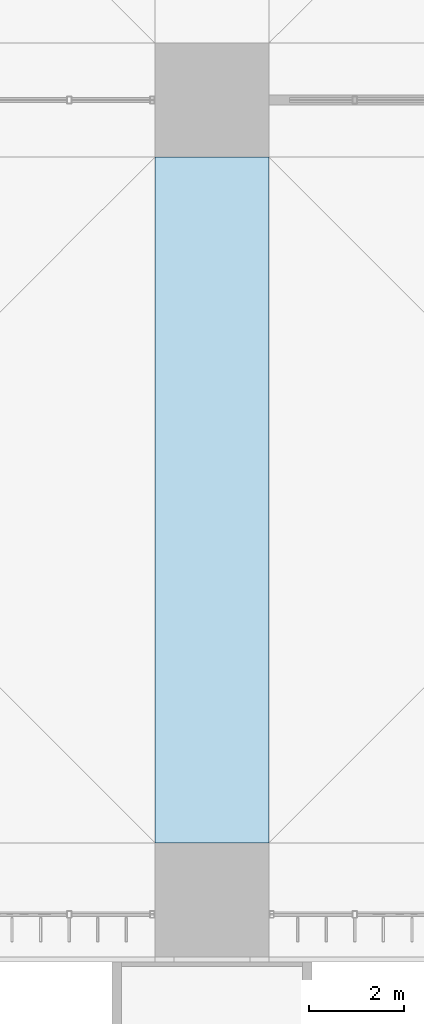
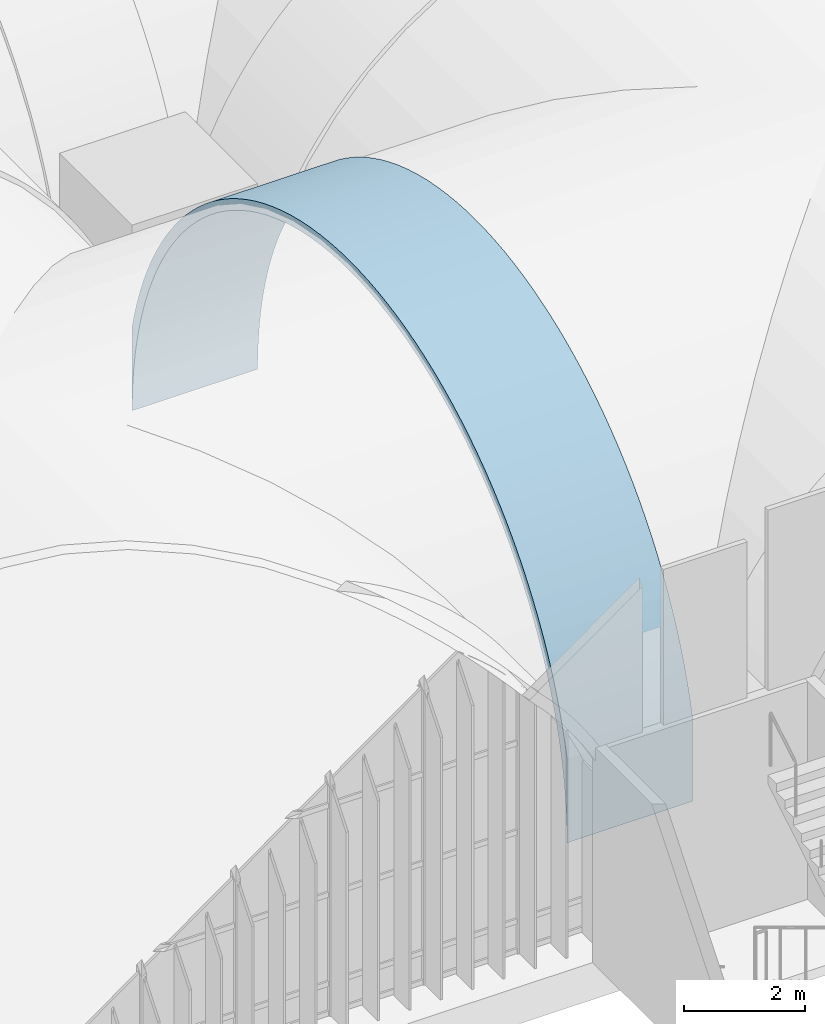
# One storey, part 141 of 169: 1 roof.
"""IFC4 building model written with IfcOpenShell, lengths in metres."""

from ifc_helpers import new_model, si_unit, direction, frame, origin, place, context, subcontext, project, spatial, polygons, material, layer, layer_set, type_object, element, save


model = new_model("IFC4")

# Units and contexts
model_context = context("Model", 3, precision=1e-05, world=origin(), true_north=direction((0.0, 1.0)))
body_context = subcontext(model_context, "Body", "Model", "MODEL_VIEW")
ifc_project = project(units=[si_unit("LENGTHUNIT", "METRE"), si_unit("AREAUNIT", "SQUARE_METRE"), si_unit("VOLUMEUNIT", "CUBIC_METRE"), si_unit("PLANEANGLEUNIT", "RADIAN"), si_unit("MASSUNIT", "GRAM", prefix="KILO")], contexts=[model_context])

# Site, building, storey
site_placement = place(None, origin())
site = spatial("IfcSite", under=ifc_project, at=site_placement, CompositionType="ELEMENT")
building_placement = place(site_placement, origin())
building = spatial("IfcBuilding", under=site, at=building_placement, Name="Verrick Yard Athletic Hall", CompositionType="ELEMENT")
storey_placement = place(building_placement, frame((0.0, 0.0, 4.39990234375)))
storey = spatial("IfcBuildingStorey", under=building, at=storey_placement, Name="L01", CompositionType="ELEMENT", Elevation=4.39990234375)

# Roof
ifc_material = material(Name="Concrete 35 MPa", Category="concrete")
ifc_layer = layer(ifc_material, 0.199951171875)
ifc_layer_set = layer_set([ifc_layer], Name="Arch rib 200")
roof_type = type_object("IfcRoofType", Name="Arch rib 200", PredefinedType="BARREL_ROOF", material=ifc_layer_set)
roof_placement = place(storey_placement, origin())
element("IfcRoof", 1, at=roof_placement, inside=storey, type_object=roof_type, Name="Vault rib X7-1", PredefinedType="BARREL_ROOF", context=body_context, shape_type="Tessellation", body=[
    polygons([(142.0, 20.39990234375, 2.352294921875), (142.0, 20.39990234375, 0.650146484375), (142.0, 20.406982421875, 0.964111328125), (142.0, 20.427490234375, 1.277587890625), (142.0, 20.461669921875, 1.58984375), (142.0, 20.509521484375, 1.900390625), (142.0, 20.57080078125, 2.20849609375), (142.0, 20.645263671875, 2.513671875), (142.0, 20.733154296875, 2.815185546875), (142.0, 20.834228515625, 3.112548828125), (142.0, 20.947998046875, 3.405517578125), (142.0, 21.07470703125, 3.693115234375), (142.0, 21.21337890625, 3.974609375), (142.0, 21.364501953125, 4.25), (142.0, 21.527587890625, 4.518798828125), (142.0, 21.7021484375, 4.77978515625), (142.0, 21.887939453125, 5.033203125), (142.0, 22.08447265625, 5.278076171875), (142.0, 22.29150390625, 5.514404296875), (142.0, 22.5087890625, 5.7412109375), (142.0, 22.73583984375, 5.95849609375), (142.0, 22.971923828125, 6.16552734375), (142.0, 23.216796875, 6.3623046875), (142.0, 23.47021484375, 6.548095703125), (142.0, 23.7314453125, 6.722412109375), (142.0, 24.0, 6.885498046875), (142.0, 24.275390625, 7.03662109375), (142.0, 24.55712890625, 7.175537109375), (142.0, 24.8447265625, 7.302001953125), (142.0, 25.137451171875, 7.416015625), (142.0, 25.434814453125, 7.516845703125), (142.0, 25.736572265625, 7.604736328125), (142.0, 26.04150390625, 7.679443359375), (142.0, 26.349609375, 7.74072265625), (142.0, 26.66015625, 7.78857421875), (142.0, 26.972412109375, 7.82275390625), (142.0, 27.285888671875, 7.84326171875), (142.0, 27.60009765625, 7.85009765625), (142.0, 27.9140625, 7.84326171875), (142.0, 28.2275390625, 7.82275390625), (142.0, 28.539794921875, 7.78857421875), (142.0, 28.850341796875, 7.74072265625), (142.0, 29.158447265625, 7.679443359375), (142.0, 29.46337890625, 7.604736328125), (142.0, 29.76513671875, 7.516845703125), (142.0, 30.0625, 7.416015625), (142.0, 30.355224609375, 7.302001953125), (142.0, 30.642822265625, 7.175537109375), (142.0, 30.924560546875, 7.03662109375), (142.0, 31.199951171875, 6.885498046875), (142.0, 31.468505859375, 6.722412109375), (142.0, 31.729736328125, 6.548095703125), (142.0, 31.983154296875, 6.3623046875), (142.0, 32.22802734375, 6.16552734375), (142.0, 32.464111328125, 5.95849609375), (142.0, 32.691162109375, 5.7412109375), (142.0, 32.908447265625, 5.514404296875), (142.0, 33.115478515625, 5.278076171875), (142.0, 33.31201171875, 5.033203125), (142.0, 33.497802734375, 4.77978515625), (142.0, 33.67236328125, 4.518798828125), (142.0, 33.83544921875, 4.25), (142.0, 33.986572265625, 3.974609375), (142.0, 34.12548828125, 3.693115234375), (142.0, 34.251953125, 3.405517578125), (142.0, 34.36572265625, 3.112548828125), (142.0, 34.466796875, 2.815185546875), (142.0, 34.5546875, 2.513671875), (142.0, 34.62939453125, 2.20849609375), (142.0, 34.690673828125, 1.900390625), (142.0, 34.73828125, 1.58984375), (142.0, 34.772705078125, 1.277587890625), (142.0, 34.793212890625, 0.964111328125), (142.0, 34.800048828125, 0.650146484375), (142.0, 34.800048828125, 2.352294921875), (142.0, 34.747802734375, 2.5654296875), (142.0, 34.657470703125, 2.875244140625), (142.0, 34.5537109375, 3.180908203125), (142.0, 34.436767578125, 3.48193359375), (142.0, 34.306640625, 3.777587890625), (142.0, 34.163818359375, 4.06689453125), (142.0, 34.008544921875, 4.35009765625), (142.0, 33.841064453125, 4.6259765625), (142.0, 33.66162109375, 4.89453125), (142.0, 33.470703125, 5.15478515625), (142.0, 33.268798828125, 5.40673828125), (142.0, 33.055908203125, 5.6494140625), (142.0, 32.83251953125, 5.8828125), (142.0, 32.599365234375, 6.10595703125), (142.0, 32.356689453125, 6.31884765625), (142.0, 32.104736328125, 6.52099609375), (142.0, 31.844482421875, 6.7119140625), (142.0, 31.575927734375, 6.89111328125), (142.0, 31.300048828125, 7.05859375), (142.0, 31.016845703125, 7.214111328125), (142.0, 30.727294921875, 7.356689453125), (142.0, 30.431884765625, 7.48681640625), (142.0, 30.130859375, 7.603759765625), (142.0, 29.8251953125, 7.70751953125), (142.0, 29.515380859375, 7.798095703125), (142.0, 29.20166015625, 7.874755859375), (142.0, 28.885009765625, 7.937744140625), (142.0, 28.56591796875, 7.98681640625), (142.0, 28.2451171875, 8.02197265625), (142.0, 27.9228515625, 8.043212890625), (142.0, 27.60009765625, 8.050048828125), (142.0, 27.277099609375, 8.043212890625), (142.0, 26.955078125, 8.02197265625), (142.0, 26.634033203125, 7.98681640625), (142.0, 26.31494140625, 7.937744140625), (142.0, 25.998291015625, 7.874755859375), (142.0, 25.684814453125, 7.798095703125), (142.0, 25.374755859375, 7.70751953125), (142.0, 25.069091796875, 7.603759765625), (142.0, 24.76806640625, 7.48681640625), (142.0, 24.47265625, 7.356689453125), (142.0, 24.18310546875, 7.214111328125), (142.0, 23.89990234375, 7.05859375), (142.0, 23.6240234375, 6.89111328125), (142.0, 23.35546875, 6.7119140625), (142.0, 23.09521484375, 6.52099609375), (142.0, 22.843505859375, 6.31884765625), (142.0, 22.6005859375, 6.10595703125), (142.0, 22.367431640625, 5.8828125), (142.0, 22.14404296875, 5.6494140625), (142.0, 21.931396484375, 5.40673828125), (142.0, 21.729248046875, 5.15478515625), (142.0, 21.538330078125, 4.89453125), (142.0, 21.35888671875, 4.6259765625), (142.0, 21.19140625, 4.35009765625), (142.0, 21.0361328125, 4.06689453125), (142.0, 20.893310546875, 3.777587890625), (142.0, 20.76318359375, 3.48193359375), (142.0, 20.646240234375, 3.180908203125), (142.0, 20.54248046875, 2.875244140625), (142.0, 20.4521484375, 2.5654296875), (139.60009765625, 20.39990234375, 2.352294921875), (139.60009765625, 20.39990234375, 0.650146484375), (139.60009765625, 20.406982421875, 0.964111328125), (139.60009765625, 20.427490234375, 1.277587890625), (139.60009765625, 20.461669921875, 1.58984375), (139.60009765625, 20.509521484375, 1.900390625), (139.60009765625, 20.57080078125, 2.20849609375), (139.60009765625, 20.645263671875, 2.513671875), (139.60009765625, 20.733154296875, 2.815185546875), (139.60009765625, 20.834228515625, 3.112548828125), (139.60009765625, 20.947998046875, 3.405517578125), (139.60009765625, 21.07470703125, 3.693115234375), (139.60009765625, 21.21337890625, 3.974609375), (139.60009765625, 21.364501953125, 4.25), (139.60009765625, 21.527587890625, 4.518798828125), (139.60009765625, 21.7021484375, 4.77978515625), (139.60009765625, 21.887939453125, 5.033203125), (139.60009765625, 22.08447265625, 5.278076171875), (139.60009765625, 22.29150390625, 5.514404296875), (139.60009765625, 22.5087890625, 5.7412109375), (139.60009765625, 22.73583984375, 5.95849609375), (139.60009765625, 22.971923828125, 6.16552734375), (139.60009765625, 23.216796875, 6.3623046875), (139.60009765625, 23.47021484375, 6.548095703125), (139.60009765625, 23.7314453125, 6.722412109375), (139.60009765625, 24.0, 6.885498046875), (139.60009765625, 24.275390625, 7.03662109375), (139.60009765625, 24.55712890625, 7.175537109375), (139.60009765625, 24.8447265625, 7.302001953125), (139.60009765625, 25.137451171875, 7.416015625), (139.60009765625, 25.434814453125, 7.516845703125), (139.60009765625, 25.736572265625, 7.604736328125), (139.60009765625, 26.04150390625, 7.679443359375), (139.60009765625, 26.349609375, 7.74072265625), (139.60009765625, 26.66015625, 7.78857421875), (139.60009765625, 26.972412109375, 7.82275390625), (139.60009765625, 27.285888671875, 7.84326171875), (139.60009765625, 27.60009765625, 7.85009765625), (139.60009765625, 27.9140625, 7.84326171875), (139.60009765625, 28.2275390625, 7.82275390625), (139.60009765625, 28.539794921875, 7.78857421875), (139.60009765625, 28.850341796875, 7.74072265625), (139.60009765625, 29.158447265625, 7.679443359375), (139.60009765625, 29.46337890625, 7.604736328125), (139.60009765625, 29.76513671875, 7.516845703125), (139.60009765625, 30.0625, 7.416015625), (139.60009765625, 30.355224609375, 7.302001953125), (139.60009765625, 30.642822265625, 7.175537109375), (139.60009765625, 30.924560546875, 7.03662109375), (139.60009765625, 31.199951171875, 6.885498046875), (139.60009765625, 31.468505859375, 6.722412109375), (139.60009765625, 31.729736328125, 6.548095703125), (139.60009765625, 31.983154296875, 6.3623046875), (139.60009765625, 32.22802734375, 6.16552734375), (139.60009765625, 32.464111328125, 5.95849609375), (139.60009765625, 32.691162109375, 5.7412109375), (139.60009765625, 32.908447265625, 5.514404296875), (139.60009765625, 33.115478515625, 5.278076171875), (139.60009765625, 33.31201171875, 5.033203125), (139.60009765625, 33.497802734375, 4.77978515625), (139.60009765625, 33.67236328125, 4.518798828125), (139.60009765625, 33.83544921875, 4.25), (139.60009765625, 33.986572265625, 3.974609375), (139.60009765625, 34.12548828125, 3.693115234375), (139.60009765625, 34.251953125, 3.405517578125), (139.60009765625, 34.36572265625, 3.112548828125), (139.60009765625, 34.466796875, 2.815185546875), (139.60009765625, 34.5546875, 2.513671875), (139.60009765625, 34.62939453125, 2.20849609375), (139.60009765625, 34.690673828125, 1.900390625), (139.60009765625, 34.73828125, 1.58984375), (139.60009765625, 34.772705078125, 1.277587890625), (139.60009765625, 34.793212890625, 0.964111328125), (139.60009765625, 34.800048828125, 0.650146484375), (139.60009765625, 34.800048828125, 2.352294921875), (139.60009765625, 34.747802734375, 2.5654296875), (139.60009765625, 34.657470703125, 2.875244140625), (139.60009765625, 34.5537109375, 3.180908203125), (139.60009765625, 34.436767578125, 3.48193359375), (139.60009765625, 34.306640625, 3.777587890625), (139.60009765625, 34.163818359375, 4.06689453125), (139.60009765625, 34.008544921875, 4.35009765625), (139.60009765625, 33.841064453125, 4.6259765625), (139.60009765625, 33.66162109375, 4.89453125), (139.60009765625, 33.470703125, 5.15478515625), (139.60009765625, 33.268798828125, 5.40673828125), (139.60009765625, 33.055908203125, 5.6494140625), (139.60009765625, 32.83251953125, 5.8828125), (139.60009765625, 32.599365234375, 6.10595703125), (139.60009765625, 32.356689453125, 6.31884765625), (139.60009765625, 32.104736328125, 6.52099609375), (139.60009765625, 31.844482421875, 6.7119140625), (139.60009765625, 31.575927734375, 6.89111328125), (139.60009765625, 31.300048828125, 7.05859375), (139.60009765625, 31.016845703125, 7.214111328125), (139.60009765625, 30.727294921875, 7.356689453125), (139.60009765625, 30.431884765625, 7.48681640625), (139.60009765625, 30.130859375, 7.603759765625), (139.60009765625, 29.8251953125, 7.70751953125), (139.60009765625, 29.515380859375, 7.798095703125), (139.60009765625, 29.20166015625, 7.874755859375), (139.60009765625, 28.885009765625, 7.937744140625), (139.60009765625, 28.56591796875, 7.98681640625), (139.60009765625, 28.2451171875, 8.02197265625), (139.60009765625, 27.9228515625, 8.043212890625), (139.60009765625, 27.60009765625, 8.050048828125), (139.60009765625, 27.277099609375, 8.043212890625), (139.60009765625, 26.955078125, 8.02197265625), (139.60009765625, 26.634033203125, 7.98681640625), (139.60009765625, 26.31494140625, 7.937744140625), (139.60009765625, 25.998291015625, 7.874755859375), (139.60009765625, 25.684814453125, 7.798095703125), (139.60009765625, 25.374755859375, 7.70751953125), (139.60009765625, 25.069091796875, 7.603759765625), (139.60009765625, 24.76806640625, 7.48681640625), (139.60009765625, 24.47265625, 7.356689453125), (139.60009765625, 24.18310546875, 7.214111328125), (139.60009765625, 23.89990234375, 7.05859375), (139.60009765625, 23.6240234375, 6.89111328125), (139.60009765625, 23.35546875, 6.7119140625), (139.60009765625, 23.09521484375, 6.52099609375), (139.60009765625, 22.843505859375, 6.31884765625), (139.60009765625, 22.6005859375, 6.10595703125), (139.60009765625, 22.367431640625, 5.8828125), (139.60009765625, 22.14404296875, 5.6494140625), (139.60009765625, 21.931396484375, 5.40673828125), (139.60009765625, 21.729248046875, 5.15478515625), (139.60009765625, 21.538330078125, 4.89453125), (139.60009765625, 21.35888671875, 4.6259765625), (139.60009765625, 21.19140625, 4.35009765625), (139.60009765625, 21.0361328125, 4.06689453125), (139.60009765625, 20.893310546875, 3.777587890625), (139.60009765625, 20.76318359375, 3.48193359375), (139.60009765625, 20.646240234375, 3.180908203125), (139.60009765625, 20.54248046875, 2.875244140625), (139.60009765625, 20.4521484375, 2.5654296875)], [[[1, 2, 3]], [[137, 139, 138]], [[136, 1, 3]], [[272, 139, 137]], [[136, 3, 4]], [[272, 140, 139]], [[136, 4, 5]], [[272, 141, 140]], [[136, 5, 6]], [[272, 142, 141]], [[136, 6, 7]], [[272, 143, 142]], [[136, 7, 8]], [[272, 144, 143]], [[136, 8, 9]], [[272, 145, 144]], [[136, 9, 10]], [[272, 146, 145]], [[136, 10, 11]], [[272, 147, 146]], [[136, 11, 12]], [[272, 148, 147]], [[136, 12, 13]], [[272, 149, 148]], [[73, 74, 75]], [[209, 211, 210]], [[72, 73, 75]], [[208, 211, 209]], [[71, 72, 75]], [[207, 211, 208]], [[70, 71, 75]], [[206, 211, 207]], [[69, 70, 75]], [[205, 211, 206]], [[68, 69, 75]], [[204, 211, 205]], [[67, 68, 75]], [[203, 211, 204]], [[66, 67, 75]], [[202, 211, 203]], [[65, 66, 75]], [[201, 211, 202]], [[64, 65, 75]], [[200, 211, 201]], [[63, 64, 75]], [[199, 211, 200]], [[63, 75, 76]], [[199, 212, 211]], [[63, 76, 77]], [[199, 213, 212]], [[62, 63, 77]], [[198, 213, 199]], [[62, 77, 78]], [[198, 214, 213]], [[61, 62, 78]], [[197, 214, 198]], [[61, 78, 79]], [[197, 215, 214]], [[60, 61, 79]], [[196, 215, 197]], [[60, 79, 80]], [[196, 216, 215]], [[59, 60, 80]], [[195, 216, 196]], [[59, 80, 81]], [[195, 217, 216]], [[58, 59, 81]], [[194, 217, 195]], [[58, 81, 82]], [[194, 218, 217]], [[57, 58, 82]], [[193, 218, 194]], [[57, 82, 83]], [[193, 219, 218]], [[56, 57, 83]], [[192, 219, 193]], [[56, 83, 84]], [[192, 220, 219]], [[55, 56, 84]], [[191, 220, 192]], [[55, 84, 85]], [[191, 221, 220]], [[54, 55, 85]], [[190, 221, 191]], [[54, 85, 86]], [[190, 222, 221]], [[53, 54, 86]], [[189, 222, 190]], [[53, 86, 87]], [[189, 223, 222]], [[52, 53, 87]], [[188, 223, 189]], [[52, 87, 88]], [[188, 224, 223]], [[51, 52, 88]], [[187, 224, 188]], [[51, 88, 89]], [[187, 225, 224]], [[50, 51, 89]], [[186, 225, 187]], [[50, 89, 90]], [[186, 226, 225]], [[49, 50, 90]], [[185, 226, 186]], [[49, 90, 91]], [[185, 227, 226]], [[48, 49, 91]], [[184, 227, 185]], [[48, 91, 92]], [[184, 228, 227]], [[47, 48, 92]], [[183, 228, 184]], [[47, 92, 93]], [[183, 229, 228]], [[46, 47, 93]], [[182, 229, 183]], [[46, 93, 94]], [[182, 230, 229]], [[45, 46, 94]], [[181, 230, 182]], [[45, 94, 95]], [[181, 231, 230]], [[44, 45, 95]], [[180, 231, 181]], [[44, 95, 96]], [[180, 232, 231]], [[43, 44, 96]], [[179, 232, 180]], [[43, 96, 97]], [[179, 233, 232]], [[42, 43, 97]], [[178, 233, 179]], [[42, 97, 98]], [[178, 234, 233]], [[41, 42, 98]], [[177, 234, 178]], [[41, 98, 99]], [[177, 235, 234]], [[40, 41, 99]], [[176, 235, 177]], [[40, 99, 100]], [[176, 236, 235]], [[39, 40, 100]], [[175, 236, 176]], [[39, 100, 101]], [[175, 237, 236]], [[38, 39, 101]], [[174, 237, 175]], [[38, 101, 102]], [[174, 238, 237]], [[37, 38, 102]], [[173, 238, 174]], [[37, 102, 103]], [[173, 239, 238]], [[36, 37, 103]], [[172, 239, 173]], [[36, 103, 104]], [[172, 240, 239]], [[35, 36, 104]], [[171, 240, 172]], [[35, 104, 105]], [[171, 241, 240]], [[34, 35, 105]], [[170, 241, 171]], [[34, 105, 106]], [[170, 242, 241]], [[33, 34, 106]], [[169, 242, 170]], [[33, 106, 107]], [[169, 243, 242]], [[32, 33, 107]], [[168, 243, 169]], [[32, 107, 108]], [[168, 244, 243]], [[31, 32, 108]], [[167, 244, 168]], [[31, 108, 109]], [[167, 245, 244]], [[30, 31, 109]], [[166, 245, 167]], [[30, 109, 110]], [[166, 246, 245]], [[29, 30, 110]], [[165, 246, 166]], [[29, 110, 111]], [[165, 247, 246]], [[28, 29, 111]], [[164, 247, 165]], [[28, 111, 112]], [[164, 248, 247]], [[27, 28, 112]], [[163, 248, 164]], [[27, 112, 113]], [[163, 249, 248]], [[26, 27, 113]], [[162, 249, 163]], [[26, 113, 114]], [[162, 250, 249]], [[25, 26, 114]], [[161, 250, 162]], [[25, 114, 115]], [[161, 251, 250]], [[24, 25, 115]], [[160, 251, 161]], [[24, 115, 116]], [[160, 252, 251]], [[23, 24, 116]], [[159, 252, 160]], [[23, 116, 117]], [[159, 253, 252]], [[22, 23, 117]], [[158, 253, 159]], [[22, 117, 118]], [[158, 254, 253]], [[21, 22, 118]], [[157, 254, 158]], [[21, 118, 119]], [[157, 255, 254]], [[20, 21, 119]], [[156, 255, 157]], [[20, 119, 120]], [[156, 256, 255]], [[19, 20, 120]], [[155, 256, 156]], [[19, 120, 121]], [[155, 257, 256]], [[18, 19, 121]], [[154, 257, 155]], [[18, 121, 122]], [[154, 258, 257]], [[17, 18, 122]], [[153, 258, 154]], [[17, 122, 123]], [[153, 259, 258]], [[16, 17, 123]], [[152, 259, 153]], [[16, 123, 124]], [[152, 260, 259]], [[15, 16, 124]], [[151, 260, 152]], [[15, 124, 125]], [[151, 261, 260]], [[14, 15, 125]], [[150, 261, 151]], [[14, 125, 126]], [[150, 262, 261]], [[13, 14, 126]], [[149, 262, 150]], [[136, 13, 126]], [[272, 262, 149]], [[136, 126, 127]], [[272, 263, 262]], [[136, 127, 128]], [[272, 264, 263]], [[136, 128, 129]], [[272, 265, 264]], [[136, 129, 130]], [[272, 266, 265]], [[136, 130, 131]], [[272, 267, 266]], [[136, 131, 132]], [[272, 268, 267]], [[136, 132, 133]], [[272, 269, 268]], [[136, 133, 134]], [[272, 270, 269]], [[134, 135, 136]], [[270, 272, 271]], [[1, 138, 2]], [[1, 137, 138]], [[2, 139, 3]], [[2, 138, 139]], [[3, 140, 4]], [[3, 139, 140]], [[4, 141, 5]], [[4, 140, 141]], [[5, 142, 6]], [[5, 141, 142]], [[6, 143, 7]], [[6, 142, 143]], [[7, 144, 8]], [[7, 143, 144]], [[8, 145, 9]], [[8, 144, 145]], [[9, 146, 10]], [[9, 145, 146]], [[10, 147, 11]], [[10, 146, 147]], [[11, 148, 12]], [[11, 147, 148]], [[12, 149, 13]], [[12, 148, 149]], [[13, 150, 14]], [[13, 149, 150]], [[14, 151, 15]], [[14, 150, 151]], [[15, 152, 16]], [[15, 151, 152]], [[16, 153, 17]], [[16, 152, 153]], [[17, 154, 18]], [[17, 153, 154]], [[18, 155, 19]], [[18, 154, 155]], [[19, 156, 20]], [[19, 155, 156]], [[20, 157, 21]], [[20, 156, 157]], [[21, 158, 22]], [[21, 157, 158]], [[22, 159, 23]], [[22, 158, 159]], [[23, 160, 24]], [[23, 159, 160]], [[24, 161, 25]], [[24, 160, 161]], [[25, 162, 26]], [[25, 161, 162]], [[26, 163, 27]], [[26, 162, 163]], [[27, 164, 28]], [[27, 163, 164]], [[28, 165, 29]], [[28, 164, 165]], [[29, 166, 30]], [[29, 165, 166]], [[30, 167, 31]], [[30, 166, 167]], [[31, 168, 32]], [[31, 167, 168]], [[32, 169, 33]], [[32, 168, 169]], [[33, 170, 34]], [[33, 169, 170]], [[34, 171, 35]], [[34, 170, 171]], [[35, 172, 36]], [[35, 171, 172]], [[36, 173, 37]], [[36, 172, 173]], [[37, 174, 38]], [[37, 173, 174]], [[38, 175, 39]], [[38, 174, 175]], [[39, 176, 40]], [[39, 175, 176]], [[40, 177, 41]], [[40, 176, 177]], [[41, 178, 42]], [[41, 177, 178]], [[42, 179, 43]], [[42, 178, 179]], [[43, 180, 44]], [[43, 179, 180]], [[44, 181, 45]], [[44, 180, 181]], [[45, 182, 46]], [[45, 181, 182]], [[46, 183, 47]], [[46, 182, 183]], [[47, 184, 48]], [[47, 183, 184]], [[48, 185, 49]], [[48, 184, 185]], [[49, 186, 50]], [[49, 185, 186]], [[50, 187, 51]], [[50, 186, 187]], [[51, 188, 52]], [[51, 187, 188]], [[52, 189, 53]], [[52, 188, 189]], [[53, 190, 54]], [[53, 189, 190]], [[54, 191, 55]], [[54, 190, 191]], [[55, 192, 56]], [[55, 191, 192]], [[56, 193, 57]], [[56, 192, 193]], [[57, 194, 58]], [[57, 193, 194]], [[58, 195, 59]], [[58, 194, 195]], [[59, 196, 60]], [[59, 195, 196]], [[60, 197, 61]], [[60, 196, 197]], [[61, 198, 62]], [[61, 197, 198]], [[62, 199, 63]], [[62, 198, 199]], [[63, 200, 64]], [[63, 199, 200]], [[64, 201, 65]], [[64, 200, 201]], [[65, 202, 66]], [[65, 201, 202]], [[66, 203, 67]], [[66, 202, 203]], [[67, 204, 68]], [[67, 203, 204]], [[68, 205, 69]], [[68, 204, 205]], [[69, 206, 70]], [[69, 205, 206]], [[70, 207, 71]], [[70, 206, 207]], [[71, 208, 72]], [[71, 207, 208]], [[72, 209, 73]], [[72, 208, 209]], [[73, 210, 74]], [[73, 209, 210]], [[74, 211, 75]], [[74, 210, 211]], [[75, 212, 76]], [[75, 211, 212]], [[76, 213, 77]], [[76, 212, 213]], [[77, 214, 78]], [[77, 213, 214]], [[78, 215, 79]], [[78, 214, 215]], [[79, 216, 80]], [[79, 215, 216]], [[80, 217, 81]], [[80, 216, 217]], [[81, 218, 82]], [[81, 217, 218]], [[82, 219, 83]], [[82, 218, 219]], [[83, 220, 84]], [[83, 219, 220]], [[84, 221, 85]], [[84, 220, 221]], [[85, 222, 86]], [[85, 221, 222]], [[86, 223, 87]], [[86, 222, 223]], [[87, 224, 88]], [[87, 223, 224]], [[88, 225, 89]], [[88, 224, 225]], [[89, 226, 90]], [[89, 225, 226]], [[90, 227, 91]], [[90, 226, 227]], [[91, 228, 92]], [[91, 227, 228]], [[92, 229, 93]], [[92, 228, 229]], [[93, 230, 94]], [[93, 229, 230]], [[94, 231, 95]], [[94, 230, 231]], [[95, 232, 96]], [[95, 231, 232]], [[96, 233, 97]], [[96, 232, 233]], [[97, 234, 98]], [[97, 233, 234]], [[98, 235, 99]], [[98, 234, 235]], [[99, 236, 100]], [[99, 235, 236]], [[100, 237, 101]], [[100, 236, 237]], [[101, 238, 102]], [[101, 237, 238]], [[102, 239, 103]], [[102, 238, 239]], [[103, 240, 104]], [[103, 239, 240]], [[104, 241, 105]], [[104, 240, 241]], [[105, 242, 106]], [[105, 241, 242]], [[106, 243, 107]], [[106, 242, 243]], [[107, 244, 108]], [[107, 243, 244]], [[108, 245, 109]], [[108, 244, 245]], [[109, 246, 110]], [[109, 245, 246]], [[110, 247, 111]], [[110, 246, 247]], [[111, 248, 112]], [[111, 247, 248]], [[112, 249, 113]], [[112, 248, 249]], [[113, 250, 114]], [[113, 249, 250]], [[114, 251, 115]], [[114, 250, 251]], [[115, 252, 116]], [[115, 251, 252]], [[116, 253, 117]], [[116, 252, 253]], [[117, 254, 118]], [[117, 253, 254]], [[118, 255, 119]], [[118, 254, 255]], [[119, 256, 120]], [[119, 255, 256]], [[120, 257, 121]], [[120, 256, 257]], [[121, 258, 122]], [[121, 257, 258]], [[122, 259, 123]], [[122, 258, 259]], [[123, 260, 124]], [[123, 259, 260]], [[124, 261, 125]], [[124, 260, 261]], [[125, 262, 126]], [[125, 261, 262]], [[126, 263, 127]], [[126, 262, 263]], [[127, 264, 128]], [[127, 263, 264]], [[128, 265, 129]], [[128, 264, 265]], [[129, 266, 130]], [[129, 265, 266]], [[130, 267, 131]], [[130, 266, 267]], [[131, 268, 132]], [[131, 267, 268]], [[132, 269, 133]], [[132, 268, 269]], [[133, 270, 134]], [[133, 269, 270]], [[134, 271, 135]], [[134, 270, 271]], [[135, 272, 136]], [[135, 271, 272]], [[136, 137, 1]], [[136, 272, 137]]], closed=True),
])

save(model, "model.ifc")
